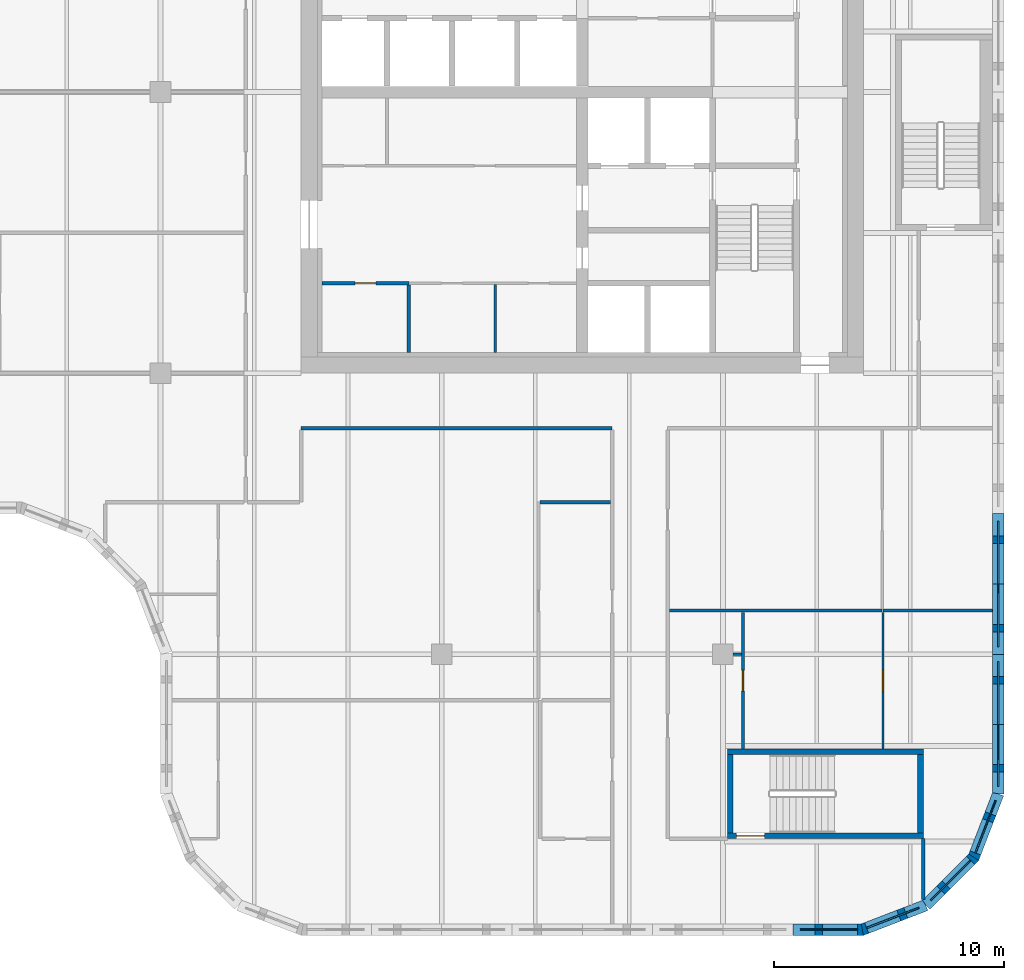
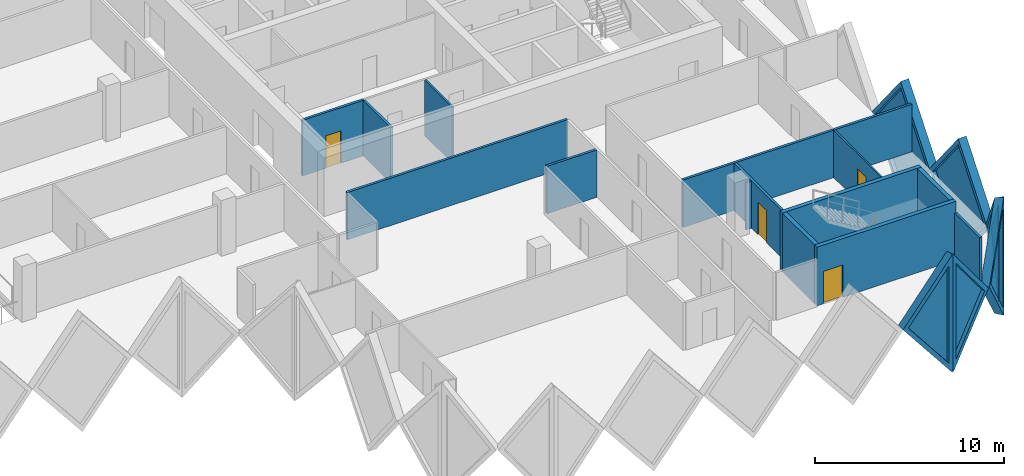
# One storey, part 5 of 12: 21 walls, 6 plates, 4 doors, 10 openings.
"""IFC4 building model written with IfcOpenShell, lengths in metres."""

from ifc_helpers import new_model, si_unit, direction, frame, frame_2d, origin, place, context, subcontext, project, spatial, polyline, rectangle, outline, extrude, faceted_brep, source, transform, mapped, material, layer, layer_set, type_object, element, fill, save


model = new_model("IFC4")

# Units and contexts
model_context = context("Model", 3, precision=1e-05, world=origin(), true_north=direction((0.0, 1.0)))
body_context = subcontext(model_context, "Body", "Model", "MODEL_VIEW")
ifc_project = project(units=[si_unit("LENGTHUNIT", "METRE"), si_unit("AREAUNIT", "SQUARE_METRE"), si_unit("VOLUMEUNIT", "CUBIC_METRE"), si_unit("PLANEANGLEUNIT", "RADIAN"), si_unit("MASSUNIT", "GRAM", prefix="KILO")], contexts=[model_context])

# Site, building, storey
site_placement = place(None, origin())
site = spatial("IfcSite", under=ifc_project, at=site_placement, CompositionType="ELEMENT")
building_placement = place(site_placement, origin())
building = spatial("IfcBuilding", under=site, at=building_placement, Name="Tessera Gate Towers", CompositionType="ELEMENT")
storey_placement = place(building_placement, frame((0.0, 0.0, 143.0)))
storey = spatial("IfcBuildingStorey", under=building, at=storey_placement, Name="L35", CompositionType="ELEMENT", Elevation=143.0)

# Wall, opening, door
ifc_material_1 = material(Name="Concrete C40/50", Category="concrete")
ifc_layer_1 = layer(ifc_material_1, 0.25)
ifc_layer_set_1 = layer_set([ifc_layer_1], Name="CORE ENCLOSURE WALL 250")
wall_type_1 = type_object("IfcWallType", Name="CORE ENCLOSURE WALL 250", PredefinedType="SOLIDWALL", material=ifc_layer_set_1)
wall_1_placement = place(storey_placement, frame((57.5, 4.324951171875, 0.0), z_axis=(0.0, 0.0, 1.0), x_axis=(-1.0, 0.0, 0.0)))
wall_1 = element("IfcWall", 1, at=wall_1_placement, inside=storey, type_object=wall_type_1, Name="L35 ST4 enclosure wall", PredefinedType="SOLIDWALL", context=body_context, shape_type="SweptSolid", body=[
    extrude(rectangle(XDim=8.5, YDim=0.25, at=frame_2d((4.25, 0.0))), origin(), (0.0, 0.0, 1.0), 3.800048828125),
])
shared_shape_1 = source(origin(), body_context, "Body", "SweptSolid", [
    extrude(rectangle(XDim=1.199951171875, YDim=2.10009765625, at=frame_2d((0.60009765625, 1.050048828125))), frame((0.0, 0.135009765625, 0.0), z_axis=(0.0, -1.0, 0.0), x_axis=(1.0, 0.0, 0.0)), (0.0, 0.0, 1.0), 0.27001953125),
])
opening_1_placement = place(wall_1_placement, frame((6.89990234375, 0.0, 0.0)))
opening_1 = element("IfcOpeningElement", 2, at=opening_1_placement, cuts=wall_1, Name="Opening SD-ST4-1", PredefinedType="OPENING", context=body_context, shape_type="MappedRepresentation", body=[
    mapped(shared_shape_1, transform((0.0, 0.0, 0.0), scale=1.0)),
])
ifc_material_2 = material(Name="Hollow steel fire door", Category="steel")
door_type_1 = type_object("IfcDoorType", Name="CORE DOOR SD 1200x2100", OperationType="NOTDEFINED", PredefinedType="DOOR", material=ifc_material_2)
shared_shape_2 = source(origin(), body_context, "Body", "SweptSolid", [
    extrude(rectangle(XDim=1.199951171875, YDim=2.10009765625, at=frame_2d((0.60009765625, 1.050048828125))), frame((0.0, 0.02490234375, 0.0), z_axis=(0.0, -1.0, 0.0), x_axis=(1.0, 0.0, 0.0)), (0.0, 0.0, 1.0), 0.050048828125),
])
door_1_placement = place(opening_1_placement, origin())
door_1 = element("IfcDoor", 3, at=door_1_placement, inside=storey, type_object=door_type_1, Name="Stair door", OperationType="SINGLE_SWING_RIGHT", OverallHeight=2.10009765625, OverallWidth=1.199951171875, PredefinedType="DOOR", context=body_context, shape_type="MappedRepresentation", body=[
    mapped(shared_shape_2, transform((0.0, 0.0, 0.0), scale=1.0)),
])
fill(opening_1, door_1)

# Walls
wall_2_placement = place(storey_placement, frame((49.125, 4.449951171875, 0.0), z_axis=(0.0, 0.0, 1.0), x_axis=(0.0, 1.0, 0.0)))
element("IfcWall", 4, at=wall_2_placement, inside=storey, type_object=wall_type_1, Name="L35 ST4 enclosure wall", PredefinedType="SOLIDWALL", context=body_context, shape_type="SweptSolid", body=[
    extrude(rectangle(XDim=3.400146484375, YDim=0.25, at=frame_2d((1.7001953125, 0.0))), origin(), (0.0, 0.0, 1.0), 3.800048828125),
])
wall_3_placement = place(storey_placement, frame((49.0, 7.97509765625, 0.0), z_axis=(0.0, 0.0, 1.0), x_axis=(1.0, 0.0, 0.0)))
element("IfcWall", 5, at=wall_3_placement, inside=storey, type_object=wall_type_1, Name="L35 ST4 enclosure wall", PredefinedType="SOLIDWALL", context=body_context, shape_type="SweptSolid", body=[
    extrude(rectangle(XDim=8.5, YDim=0.25, at=frame_2d((4.25, 0.0))), origin(), (0.0, 0.0, 1.0), 3.800048828125),
])
wall_4_placement = place(storey_placement, frame((57.375, 7.85009765625, 0.0), z_axis=(0.0, 0.0, 1.0), x_axis=(0.0, -1.0, 0.0)))
element("IfcWall", 6, at=wall_4_placement, inside=storey, type_object=wall_type_1, Name="L35 ST4 enclosure wall", PredefinedType="SOLIDWALL", context=body_context, shape_type="SweptSolid", body=[
    extrude(rectangle(XDim=3.400146484375, YDim=0.25, at=frame_2d((1.7001953125, 0.0))), origin(), (0.0, 0.0, 1.0), 3.800048828125),
])
ifc_material_3 = material(Name="Gypsum board on steel studs", Category="steel")
ifc_layer_2 = layer(ifc_material_3, 0.1201171875)
ifc_layer_set_2 = layer_set([ifc_layer_2], Name="CORE PARTITION 120")
wall_type_2 = type_object("IfcWallType", Name="CORE PARTITION 120", PredefinedType="PARTITIONING", material=ifc_layer_set_2)
wall_5_placement = place(storey_placement, frame((38.925048828125, 25.300048828125, 0.0), z_axis=(0.0, 0.0, 1.0), x_axis=(0.0, 1.0, 0.0)))
element("IfcWall", 7, at=wall_5_placement, inside=storey, type_object=wall_type_2, Name="L35 core partition", PredefinedType="PARTITIONING", context=body_context, shape_type="SweptSolid", body=[
    extrude(rectangle(XDim=2.93994140625, YDim=0.1201171875, at=frame_2d((1.469970703125, 0.0))), origin(), (0.0, 0.0, 1.0), 3.60009765625),
])
ifc_material_4 = material(Name="Gypsum board on steel studs, mineral wool", Category="steel")
ifc_layer_3 = layer(ifc_material_4, 0.14990234375)
ifc_layer_set_3 = layer_set([ifc_layer_3], Name="CORRIDOR WALL 150")
wall_type_3 = type_object("IfcWallType", Name="CORRIDOR WALL 150", PredefinedType="PARTITIONING", material=ifc_layer_set_3)
wall_6_placement = place(storey_placement, frame((57.5, 1.55908203125, 0.0), z_axis=(0.0, 0.0, 1.0), x_axis=(0.0, 1.0, 0.0)))
element("IfcWall", 8, at=wall_6_placement, inside=storey, type_object=wall_type_3, Name="T1-L35-PW-002", PredefinedType="PARTITIONING", context=body_context, shape_type="SweptSolid", body=[
    extrude(rectangle(XDim=2.640869140625, YDim=0.14990234375, at=frame_2d((1.3203125, 0.0))), origin(), (0.0, 0.0, 1.0), 3.06689453125),
])
wall_7_placement = place(storey_placement, frame((30.5, 22.0, 0.0), z_axis=(0.0, 0.0, 1.0), x_axis=(1.0, 0.0, 0.0)))
element("IfcWall", 9, at=wall_7_placement, inside=storey, type_object=wall_type_3, Name="T1-L35-PW-027", PredefinedType="PARTITIONING", context=body_context, shape_type="SweptSolid", body=[
    extrude(rectangle(XDim=13.5, YDim=0.14990234375, at=frame_2d((6.75, 0.0))), origin(), (0.0, 0.0, 1.0), 3.06689453125),
])

# Wall, opening, door
ifc_material_5 = material(Name="Gypsum board on steel studs", Category="steel")
ifc_layer_4 = layer(ifc_material_5, 0.10009765625)
ifc_layer_set_4 = layer_set([ifc_layer_4], Name="PARTITION 100")
wall_type_4 = type_object("IfcWallType", Name="PARTITION 100", PredefinedType="PARTITIONING", material=ifc_layer_set_4)
wall_8_placement = place(storey_placement, frame((55.7470703125, 14.02392578125, 0.0), z_axis=(0.0, 0.0, 1.0), x_axis=(0.0, -1.0, 0.0)))
wall_8 = element("IfcWall", 10, at=wall_8_placement, inside=storey, type_object=wall_type_4, Name="T1-L35-PW-010", PredefinedType="PARTITIONING", context=body_context, shape_type="SweptSolid", body=[
    extrude(rectangle(XDim=5.923828125, YDim=0.10009765625, at=frame_2d((2.9619140625, 0.0))), origin(), (0.0, 0.0, 1.0), 3.06689453125),
])
shared_shape_3 = source(origin(), body_context, "Body", "SweptSolid", [
    extrude(rectangle(XDim=0.89990234375, YDim=2.10009765625, at=frame_2d((0.449951171875, 1.050048828125))), frame((0.0, 0.06005859375, 0.0), z_axis=(0.0, -1.0, 0.0), x_axis=(1.0, 0.0, 0.0)), (0.0, 0.0, 1.0), 0.1201171875),
])
opening_2_placement = place(wall_8_placement, frame((2.52392578125, 0.0, 0.0)))
opening_2 = element("IfcOpeningElement", 11, at=opening_2_placement, cuts=wall_8, Name="Opening D190-A13-07", PredefinedType="OPENING", context=body_context, shape_type="MappedRepresentation", body=[
    mapped(shared_shape_3, transform((0.0, 0.0, 0.0), scale=1.0)),
])
ifc_material_6 = material(Name="Timber door leaf in steel frame", Category="steel")
door_type_2 = type_object("IfcDoorType", Name="INTERNAL DOOR 900 NOT RATED", OperationType="NOTDEFINED", PredefinedType="DOOR", material=ifc_material_6)
shared_shape_4 = source(origin(), body_context, "Body", "SweptSolid", [
    extrude(rectangle(XDim=0.89990234375, YDim=2.10009765625, at=frame_2d((0.449951171875, 1.050048828125))), frame((0.0, 0.02490234375, 0.0), z_axis=(0.0, -1.0, 0.0), x_axis=(1.0, 0.0, 0.0)), (0.0, 0.0, 1.0), 0.050048828125),
])
door_2_placement = place(opening_2_placement, origin())
door_2 = element("IfcDoor", 12, at=door_2_placement, inside=storey, type_object=door_type_2, Name="T1-L35-PD-012", OperationType="SINGLE_SWING_RIGHT", OverallHeight=2.10009765625, OverallWidth=0.89990234375, PredefinedType="DOOR", context=body_context, shape_type="MappedRepresentation", body=[
    mapped(shared_shape_4, transform((0.0, 0.0, 0.0), scale=1.0)),
])
fill(opening_2, door_2)

# Wall
wall_9_placement = place(storey_placement, frame((49.25, 12.199951171875, 0.0), z_axis=(0.0, 0.0, 1.0), x_axis=(1.0, 0.0, 0.0)))
element("IfcWall", 13, at=wall_9_placement, inside=storey, type_object=wall_type_4, Name="T1-L35-PW-015", PredefinedType="PARTITIONING", context=body_context, shape_type="SweptSolid", body=[
    extrude(rectangle(XDim=0.35009765625, YDim=0.10009765625, at=frame_2d((0.175048828125, 0.0))), origin(), (0.0, 0.0, 1.0), 3.06689453125),
])

# Wall, opening, door
ifc_material_7 = material(Name="Gypsum board on steel studs", Category="steel")
ifc_layer_5 = layer(ifc_material_7, 0.14990234375)
ifc_layer_set_5 = layer_set([ifc_layer_5], Name="SERVICE ROOM WALL 150")
wall_type_5 = type_object("IfcWallType", Name="SERVICE ROOM WALL 150", PredefinedType="PARTITIONING", material=ifc_layer_set_5)
wall_10_placement = place(storey_placement, frame((35.175048828125, 28.300048828125, 0.0), z_axis=(0.0, 0.0, 1.0), x_axis=(-1.0, 0.0, 0.0)))
wall_10 = element("IfcWall", 14, at=wall_10_placement, inside=storey, type_object=wall_type_5, Name="L35 service room wall", PredefinedType="PARTITIONING", context=body_context, shape_type="SweptSolid", body=[
    extrude(rectangle(XDim=3.775146484375, YDim=0.14990234375, at=frame_2d((1.8876953125, 0.0))), origin(), (0.0, 0.0, 1.0), 3.60009765625),
])
shared_shape_5 = source(origin(), body_context, "Body", "SweptSolid", [
    extrude(rectangle(XDim=0.89990234375, YDim=2.10009765625, at=frame_2d((0.449951171875, 1.050048828125))), frame((0.0, 0.0849609375, 0.0), z_axis=(0.0, -1.0, 0.0), x_axis=(1.0, 0.0, 0.0)), (0.0, 0.0, 1.0), 0.169921875),
])
opening_3_placement = place(wall_10_placement, frame((1.4375, 0.0, 0.0)))
opening_3 = element("IfcOpeningElement", 15, at=opening_3_placement, cuts=wall_10, Name="Opening RD-T1-23-13", PredefinedType="OPENING", context=body_context, shape_type="MappedRepresentation", body=[
    mapped(shared_shape_5, transform((0.0, 0.0, 0.0), scale=1.0)),
])
ifc_material_8 = material(Name="Hollow steel fire door", Category="steel")
door_type_3 = type_object("IfcDoorType", Name="CORE DOOR RD 900x2100", OperationType="NOTDEFINED", PredefinedType="DOOR", material=ifc_material_8)
door_3_placement = place(opening_3_placement, origin())
door_3 = element("IfcDoor", 16, at=door_3_placement, inside=storey, type_object=door_type_3, Name="Core room door", OperationType="SINGLE_SWING_LEFT", OverallHeight=2.10009765625, OverallWidth=0.89990234375, PredefinedType="DOOR", context=body_context, shape_type="MappedRepresentation", body=[
    mapped(shared_shape_4, transform((0.0, 0.0, 0.0), scale=1.0)),
])
fill(opening_3, door_3)

# Wall
wall_11_placement = place(storey_placement, frame((35.175048828125, 25.300048828125, 0.0), z_axis=(0.0, 0.0, 1.0), x_axis=(0.0, 1.0, 0.0)))
element("IfcWall", 17, at=wall_11_placement, inside=storey, type_object=wall_type_5, Name="L35 service room wall", PredefinedType="PARTITIONING", context=body_context, shape_type="SweptSolid", body=[
    extrude(rectangle(XDim=2.925048828125, YDim=0.14990234375, at=frame_2d((1.46240234375, 0.0))), origin(), (0.0, 0.0, 1.0), 3.60009765625),
])

# Wall, opening, door
ifc_material_9 = material(Name="Gypsum board on steel studs, mineral wool", Category="steel")
ifc_layer_6 = layer(ifc_material_9, 0.14990234375)
ifc_layer_set_6 = layer_set([ifc_layer_6], Name="TENANCY WALL 150")
wall_type_6 = type_object("IfcWallType", Name="TENANCY WALL 150", PredefinedType="PARTITIONING", material=ifc_layer_set_6)
wall_12_placement = place(storey_placement, frame((49.675048828125, 14.02392578125, 0.0), z_axis=(0.0, 0.0, 1.0), x_axis=(0.0, -1.0, 0.0)))
wall_12 = element("IfcWall", 18, at=wall_12_placement, inside=storey, type_object=wall_type_6, Name="T1-L35-PW-009", PredefinedType="PARTITIONING", context=body_context, shape_type="SweptSolid", body=[
    extrude(rectangle(XDim=5.923828125, YDim=0.14990234375, at=frame_2d((2.9619140625, 0.0))), origin(), (0.0, 0.0, 1.0), 3.06689453125),
])
opening_4_placement = place(wall_12_placement, frame((2.52392578125, 0.0, 0.0)))
opening_4 = element("IfcOpeningElement", 19, at=opening_4_placement, cuts=wall_12, Name="Opening D190-A13-06", PredefinedType="OPENING", context=body_context, shape_type="MappedRepresentation", body=[
    mapped(shared_shape_5, transform((0.0, 0.0, 0.0), scale=1.0)),
])
door_4_placement = place(opening_4_placement, origin())
door_4 = element("IfcDoor", 20, at=door_4_placement, inside=storey, type_object=door_type_2, Name="T1-L35-PD-011", OperationType="SINGLE_SWING_RIGHT", OverallHeight=2.10009765625, OverallWidth=0.89990234375, PredefinedType="DOOR", context=body_context, shape_type="MappedRepresentation", body=[
    mapped(shared_shape_4, transform((0.0, 0.0, 0.0), scale=1.0)),
])
fill(opening_4, door_4)

# Walls
wall_13_placement = place(storey_placement, frame((46.47607421875, 14.10009765625, 0.0), z_axis=(0.0, 0.0, 1.0), x_axis=(1.0, 0.0, 0.0)))
element("IfcWall", 21, at=wall_13_placement, inside=storey, type_object=wall_type_6, Name="T1-L35-PW-016", PredefinedType="PARTITIONING", context=body_context, shape_type="SweptSolid", body=[
    extrude(rectangle(XDim=9.239013671875, YDim=0.14990234375, at=frame_2d((4.61962890625, 0.0))), origin(), (0.0, 0.0, 1.0), 3.06689453125),
])
wall_14_placement = place(storey_placement, frame((55.7470703125, 14.10009765625, 0.0), z_axis=(0.0, 0.0, 1.0), x_axis=(1.0, 0.0, 0.0)))
element("IfcWall", 22, at=wall_14_placement, inside=storey, type_object=wall_type_6, Name="T1-L35-PW-017", PredefinedType="PARTITIONING", context=body_context, shape_type="SweptSolid", body=[
    extrude(rectangle(XDim=4.7529296875, YDim=0.14990234375, at=frame_2d((2.37646484375, 0.0))), origin(), (0.0, 0.0, 1.0), 3.06689453125),
])
wall_15_placement = place(storey_placement, frame((40.8759765625, 18.800048828125, 0.0), z_axis=(0.0, 0.0, 1.0), x_axis=(1.0, 0.0, 0.0)))
element("IfcWall", 23, at=wall_15_placement, inside=storey, type_object=wall_type_6, Name="T1-L35-PW-025", PredefinedType="PARTITIONING", context=body_context, shape_type="SweptSolid", body=[
    extrude(rectangle(XDim=3.048095703125, YDim=0.14990234375, at=frame_2d((1.52392578125, 0.0))), origin(), (0.0, 0.0, 1.0), 3.06689453125),
])

# Wall, opening, plate
ifc_material_10 = material(Name="Precast concrete C60/75 white", Category="concrete")
ifc_layer_7 = layer(ifc_material_10, 0.5)
ifc_layer_set_7 = layer_set([ifc_layer_7], Name="TS1 tessera")
wall_type_7 = type_object("IfcWallType", Name="TS1 tessera", PredefinedType="SOLIDWALL", material=ifc_layer_set_7)
shared_shape_6 = source(origin(), body_context, "Body", "Brep", [
    faceted_brep([(3.00341796875, -0.25, 0.0), (6.053466796875, -0.25, 3.800048828125), (3.00341796875, -0.25, 7.60009765625), (0.0, -0.25, 3.800048828125), (0.046630859375, 0.25, 3.85888671875), (3.00341796875, 0.25, 7.60009765625), (6.053466796875, 0.25, 3.800048828125), (3.00341796875, 0.25, 0.0), (0.046630859375, 0.25, 3.7412109375), (0.0, 0.0, 3.800048828125)], [[[0, 1, 2, 3]], [[4, 5, 6, 7, 8]], [[7, 6, 1, 0]], [[6, 5, 2, 1]], [[5, 4, 9, 3, 2]], [[8, 7, 0, 3, 9]], [[8, 9, 4]]]),
])
wall_16_placement = place(storey_placement, frame((60.75, 6.146484375, -3.800048828125), z_axis=(0.0, 0.0, 1.0), x_axis=(0.0, 1.0, 0.0)))
wall_16 = element("IfcWall", 24, at=wall_16_placement, inside=storey, type_object=wall_type_7, Name="Precast tessera T1 TS1-0601", PredefinedType="SOLIDWALL", context=body_context, shape_type="MappedRepresentation", body=[
    mapped(shared_shape_6, transform((0.0, 0.0, 0.0), scale=1.0)),
])
shared_shape_7 = source(origin(), body_context, "Body", "SweptSolid", [
    extrude(outline(polyline([(3.0048828125, 0.4013671875), (5.73291015625, 3.800048828125), (3.0048828125, 7.19873046875), (0.318603515625, 3.800048828125), (3.0048828125, 0.4013671875)])), frame((0.0, 0.260009765625, 0.0), z_axis=(0.0, -1.0, 0.0), x_axis=(1.0, 0.0, 0.0)), (0.0, 0.0, 1.0), 0.52001953125),
])
opening_5_placement = place(wall_16_placement, origin())
opening_5 = element("IfcOpeningElement", 25, at=opening_5_placement, cuts=wall_16, Name="Opening T1-PL2-1231", PredefinedType="OPENING", context=body_context, shape_type="MappedRepresentation", body=[
    mapped(shared_shape_7, transform((0.0, 0.0, 0.0), scale=1.0)),
])
ifc_material_11 = material(Name="Low-e laminated glass", Category="glass")
ifc_layer_8 = layer(ifc_material_11, 0.06005859375)
ifc_layer_set_8 = layer_set([ifc_layer_8], Name="PL2 rhombic pane")
plate_type = type_object("IfcPlateType", Name="PL2 rhombic pane", PredefinedType="SHEET", material=ifc_layer_set_8)
shared_shape_8 = source(origin(), body_context, "Body", "SweptSolid", [
    extrude(outline(polyline([(3.0048828125, 0.4013671875), (5.73291015625, 3.800048828125), (3.0048828125, 7.19873046875), (0.318603515625, 3.800048828125), (3.0048828125, 0.4013671875)])), frame((0.0, 0.030029296875, 0.0), z_axis=(0.0, -1.0, 0.0), x_axis=(1.0, 0.0, 0.0)), (0.0, 0.0, 1.0), 0.06005859375),
])
plate_1_placement = place(opening_5_placement, origin())
plate_1 = element("IfcPlate", 26, at=plate_1_placement, inside=storey, type_object=plate_type, Name="Glass pane T1 PL2-1231", PredefinedType="SHEET", context=body_context, shape_type="MappedRepresentation", body=[
    mapped(shared_shape_8, transform((0.0, 0.0, 0.0), scale=1.0)),
])
fill(opening_5, plate_1)

shared_shape_9 = source(origin(), body_context, "Body", "SweptSolid", [
    extrude(outline(polyline([(3.050048828125, 0.0), (6.10009765625, 3.800048828125), (3.050048828125, 7.60009765625), (0.0, 3.800048828125), (3.050048828125, 0.0)])), frame((0.0, 0.25, 0.0), z_axis=(0.0, -1.0, 0.0), x_axis=(1.0, 0.0, 0.0)), (0.0, 0.0, 1.0), 0.5),
])
wall_17_placement = place(storey_placement, frame((60.75, 12.199951171875, -3.800048828125), z_axis=(0.0, 0.0, 1.0), x_axis=(0.0, 1.0, 0.0)))
wall_17 = element("IfcWall", 27, at=wall_17_placement, inside=storey, type_object=wall_type_7, Name="Precast tessera T1 TS1-0602", PredefinedType="SOLIDWALL", context=body_context, shape_type="MappedRepresentation", body=[
    mapped(shared_shape_9, transform((0.0, 0.0, 0.0), scale=1.0)),
])
shared_shape_10 = source(origin(), body_context, "Body", "SweptSolid", [
    extrude(outline(polyline([(3.050048828125, 0.3994140625), (5.779541015625, 3.800048828125), (3.050048828125, 7.20068359375), (0.320556640625, 3.800048828125), (3.050048828125, 0.3994140625)])), frame((0.0, 0.260009765625, 0.0), z_axis=(0.0, -1.0, 0.0), x_axis=(1.0, 0.0, 0.0)), (0.0, 0.0, 1.0), 0.52001953125),
])
opening_6_placement = place(wall_17_placement, origin())
opening_6 = element("IfcOpeningElement", 28, at=opening_6_placement, cuts=wall_17, Name="Opening T1-PL2-1232", PredefinedType="OPENING", context=body_context, shape_type="MappedRepresentation", body=[
    mapped(shared_shape_10, transform((0.0, 0.0, 0.0), scale=1.0)),
])
shared_shape_11 = source(origin(), body_context, "Body", "SweptSolid", [
    extrude(outline(polyline([(3.050048828125, 0.3994140625), (5.779541015625, 3.800048828125), (3.050048828125, 7.20068359375), (0.320556640625, 3.800048828125), (3.050048828125, 0.3994140625)])), frame((0.0, 0.030029296875, 0.0), z_axis=(0.0, -1.0, 0.0), x_axis=(1.0, 0.0, 0.0)), (0.0, 0.0, 1.0), 0.06005859375),
])
plate_2_placement = place(opening_6_placement, origin())
plate_2 = element("IfcPlate", 29, at=plate_2_placement, inside=storey, type_object=plate_type, Name="Glass pane T1 PL2-1232", PredefinedType="SHEET", context=body_context, shape_type="MappedRepresentation", body=[
    mapped(shared_shape_11, transform((0.0, 0.0, 0.0), scale=1.0)),
])
fill(opening_6, plate_2)

ifc_material_12 = material(Name="Precast concrete C60/75 white", Category="concrete")
ifc_layer_9 = layer(ifc_material_12, 0.5)
ifc_layer_set_9 = layer_set([ifc_layer_9], Name="TS3 corner tessera")
wall_type_8 = type_object("IfcWallType", Name="TS3 corner tessera", PredefinedType="SOLIDWALL", material=ifc_layer_set_9)
shared_shape_12 = source(origin(), body_context, "Body", "Brep", [
    faceted_brep([(3.00341796875, -0.25, 0.0), (3.050048828125, -0.25, 0.06005859375), (3.050048828125, -0.25, 7.5400390625), (3.00341796875, -0.25, 7.60009765625), (0.0, -0.25, 3.800048828125), (0.0, 0.25, 3.800048828125), (2.956787109375, 0.25, 7.541259765625), (2.956787109375, 0.25, 0.058837890625), (3.00341796875, 0.000244140625, 0.0), (3.00341796875, 0.000244140625, 7.60009765625)], [[[0, 1, 2, 3, 4]], [[5, 6, 7]], [[1, 0, 8]], [[9, 3, 2]], [[6, 5, 4, 3, 9]], [[5, 7, 8, 0, 4]], [[1, 8, 7, 6, 9, 2]]]),
])
wall_18_placement = place(storey_placement, frame((51.85009765625, 0.25, -3.800048828125), z_axis=(0.0, 0.0, 1.0), x_axis=(1.0, 0.0, 0.0)))
wall_18 = element("IfcWall", 30, at=wall_18_placement, inside=storey, type_object=wall_type_8, Name="Precast corner tessera T1 TS3-0795", PredefinedType="SOLIDWALL", context=body_context, shape_type="MappedRepresentation", body=[
    mapped(shared_shape_12, transform((0.0, 0.0, 0.0), scale=1.0)),
])
shared_shape_13 = source(origin(), body_context, "Body", "SweptSolid", [
    extrude(outline(polyline([(2.803466796875, 6.94384765625), (0.318603515625, 3.800048828125), (2.803466796875, 0.65625), (2.803466796875, 6.94384765625)])), frame((0.0, 0.260009765625, 0.0), z_axis=(0.0, -1.0, 0.0), x_axis=(1.0, 0.0, 0.0)), (0.0, 0.0, 1.0), 0.52001953125),
])
opening_7_placement = place(wall_18_placement, origin())
opening_7 = element("IfcOpeningElement", 31, at=opening_7_placement, cuts=wall_18, Name="Opening T1-PL2-1227", PredefinedType="OPENING", context=body_context, shape_type="MappedRepresentation", body=[
    mapped(shared_shape_13, transform((0.0, 0.0, 0.0), scale=1.0)),
])
shared_shape_14 = source(origin(), body_context, "Body", "SweptSolid", [
    extrude(outline(polyline([(2.803466796875, 6.94384765625), (0.318603515625, 3.800048828125), (2.803466796875, 0.65625), (2.803466796875, 6.94384765625)])), frame((0.0, 0.030029296875, 0.0), z_axis=(0.0, -1.0, 0.0), x_axis=(1.0, 0.0, 0.0)), (0.0, 0.0, 1.0), 0.06005859375),
])
plate_3_placement = place(opening_7_placement, origin())
plate_3 = element("IfcPlate", 32, at=plate_3_placement, inside=storey, type_object=plate_type, Name="Glass pane T1 PL2-1227", PredefinedType="SHEET", context=body_context, shape_type="MappedRepresentation", body=[
    mapped(shared_shape_14, transform((0.0, 0.0, 0.0), scale=1.0)),
])
fill(opening_7, plate_3)

shared_shape_15 = source(origin(), body_context, "Body", "Brep", [
    faceted_brep([(0.046630859375, -0.25, 0.0), (2.9970703125, -0.25, 3.800048828125), (0.046630859375, -0.25, 7.60009765625), (0.0, -0.25, 7.541259765625), (0.0, -0.25, 0.058837890625), (0.09326171875, 0.25, 7.5400390625), (2.9443359375, 0.25, 3.8681640625), (2.9443359375, 0.25, 3.73193359375), (0.09326171875, 0.25, 0.06005859375), (2.9970703125, 0.00048828125, 3.800048828125), (0.046630859375, 0.0, 0.0), (0.046630859375, 0.0, 7.60009765625)], [[[0, 1, 2, 3, 4]], [[5, 6, 7, 8]], [[8, 7, 9, 1, 0, 10]], [[6, 5, 11, 2, 1, 9]], [[3, 2, 11]], [[10, 0, 4]], [[8, 10, 4, 3, 11, 5]], [[9, 7, 6]]]),
])
wall_19_placement = place(storey_placement, frame((54.81005859375, 0.233154296875, -3.800048828125), z_axis=(0.0, 0.0, 1.0), x_axis=(0.932990326376, 0.359901446078, 0.0)))
wall_19 = element("IfcWall", 33, at=wall_19_placement, inside=storey, type_object=wall_type_8, Name="Precast corner tessera T1 TS3-0796", PredefinedType="SOLIDWALL", context=body_context, shape_type="MappedRepresentation", body=[
    mapped(shared_shape_15, transform((0.0, 0.0, 0.0), scale=1.0)),
])
shared_shape_16 = source(origin(), body_context, "Body", "SweptSolid", [
    extrude(outline(polyline([(0.24658203125, 0.665283203125), (2.6806640625, 3.800048828125), (0.24658203125, 6.934814453125), (0.24658203125, 0.665283203125)])), frame((0.0, 0.260009765625, 0.0), z_axis=(0.0, -1.0, 0.0), x_axis=(1.0, 0.0, 0.0)), (0.0, 0.0, 1.0), 0.52001953125),
])
opening_8_placement = place(wall_19_placement, origin())
opening_8 = element("IfcOpeningElement", 34, at=opening_8_placement, cuts=wall_19, Name="Opening T1-PL2-1228", PredefinedType="OPENING", context=body_context, shape_type="MappedRepresentation", body=[
    mapped(shared_shape_16, transform((0.0, 0.0, 0.0), scale=1.0)),
])
shared_shape_17 = source(origin(), body_context, "Body", "SweptSolid", [
    extrude(outline(polyline([(0.24658203125, 0.665283203125), (2.6806640625, 3.800048828125), (0.24658203125, 6.934814453125), (0.24658203125, 0.665283203125)])), frame((0.0, 0.030029296875, 0.0), z_axis=(0.0, -1.0, 0.0), x_axis=(1.0, 0.0, 0.0)), (0.0, 0.0, 1.0), 0.06005859375),
])
plate_4_placement = place(opening_8_placement, origin())
plate_4 = element("IfcPlate", 35, at=plate_4_placement, inside=storey, type_object=plate_type, Name="Glass pane T1 PL2-1228", PredefinedType="SHEET", context=body_context, shape_type="MappedRepresentation", body=[
    mapped(shared_shape_17, transform((0.0, 0.0, 0.0), scale=1.0)),
])
fill(opening_8, plate_4)

shared_shape_18 = source(origin(), body_context, "Body", "Brep", [
    faceted_brep([(2.944091796875, -0.25, 0.0), (2.9970703125, -0.25, 0.068115234375), (2.9970703125, -0.25, 7.531982421875), (2.944091796875, -0.25, 7.60009765625), (0.0, -0.25, 3.800048828125), (0.052978515625, 0.25, 3.868408203125), (2.89111328125, 0.25, 7.531982421875), (2.89111328125, 0.25, 0.068115234375), (0.052978515625, 0.25, 3.731689453125), (2.944091796875, 0.000244140625, 0.0), (2.944091796875, 0.000244140625, 7.60009765625), (0.0, 0.0, 3.800048828125)], [[[0, 1, 2, 3, 4]], [[5, 6, 7, 8]], [[1, 0, 9]], [[10, 3, 2]], [[6, 5, 11, 4, 3, 10]], [[8, 7, 9, 0, 4, 11]], [[8, 11, 5]], [[1, 9, 7, 6, 10, 2]]]),
])
wall_20_placement = place(storey_placement, frame((57.606201171875, 1.31201171875, -3.800048828125), z_axis=(0.0, 0.0, 1.0), x_axis=(0.707147509625, 0.707066050402, 0.0)))
wall_20 = element("IfcWall", 36, at=wall_20_placement, inside=storey, type_object=wall_type_8, Name="Precast corner tessera T1 TS3-0797", PredefinedType="SOLIDWALL", context=body_context, shape_type="MappedRepresentation", body=[
    mapped(shared_shape_18, transform((0.0, 0.0, 0.0), scale=1.0)),
])
shared_shape_19 = source(origin(), body_context, "Body", "SweptSolid", [
    extrude(outline(polyline([(2.744140625, 6.933837890625), (0.316162109375, 3.800048828125), (2.744140625, 0.666259765625), (2.744140625, 6.933837890625)])), frame((0.0, 0.260009765625, 0.0), z_axis=(0.0, -1.0, 0.0), x_axis=(1.0, 0.0, 0.0)), (0.0, 0.0, 1.0), 0.52001953125),
])
opening_9_placement = place(wall_20_placement, origin())
opening_9 = element("IfcOpeningElement", 37, at=opening_9_placement, cuts=wall_20, Name="Opening T1-PL2-1229", PredefinedType="OPENING", context=body_context, shape_type="MappedRepresentation", body=[
    mapped(shared_shape_19, transform((0.0, 0.0, 0.0), scale=1.0)),
])
shared_shape_20 = source(origin(), body_context, "Body", "SweptSolid", [
    extrude(outline(polyline([(2.744140625, 6.933837890625), (0.316162109375, 3.800048828125), (2.744140625, 0.666259765625), (2.744140625, 6.933837890625)])), frame((0.0, 0.030029296875, 0.0), z_axis=(0.0, -1.0, 0.0), x_axis=(1.0, 0.0, 0.0)), (0.0, 0.0, 1.0), 0.06005859375),
])
plate_5_placement = place(opening_9_placement, origin())
plate_5 = element("IfcPlate", 38, at=plate_5_placement, inside=storey, type_object=plate_type, Name="Glass pane T1 PL2-1229", PredefinedType="SHEET", context=body_context, shape_type="MappedRepresentation", body=[
    mapped(shared_shape_20, transform((0.0, 0.0, 0.0), scale=1.0)),
])
fill(opening_9, plate_5)

shared_shape_21 = source(origin(), body_context, "Body", "Brep", [
    faceted_brep([(0.052978515625, -0.25, 0.0), (3.00341796875, -0.25, 3.800048828125), (0.052978515625, -0.25, 7.60009765625), (0.0, -0.25, 7.53173828125), (0.0, -0.25, 0.068359375), (0.10595703125, 0.25, 7.531982421875), (2.95703125, 0.25, 3.85986328125), (2.95703125, 0.25, 3.740234375), (0.10595703125, 0.25, 0.068115234375), (3.00341796875, 0.00048828125, 3.800048828125), (0.052978515625, 0.0, 0.0), (0.052978515625, 0.0, 7.60009765625)], [[[0, 1, 2, 3, 4]], [[5, 6, 7, 8]], [[8, 7, 9, 1, 0, 10]], [[6, 5, 11, 2, 1, 9]], [[3, 2, 11]], [[10, 0, 4]], [[8, 10, 4, 3, 11, 5]], [[9, 7, 6]]]),
])
wall_21_placement = place(storey_placement, frame((59.6689453125, 3.34423828125, -3.800048828125), z_axis=(0.0, 0.0, 1.0), x_axis=(0.35992665181, 0.932980602862, 0.0)))
wall_21 = element("IfcWall", 39, at=wall_21_placement, inside=storey, type_object=wall_type_8, Name="Precast corner tessera T1 TS3-0798", PredefinedType="SOLIDWALL", context=body_context, shape_type="MappedRepresentation", body=[
    mapped(shared_shape_21, transform((0.0, 0.0, 0.0), scale=1.0)),
])
shared_shape_22 = source(origin(), body_context, "Body", "SweptSolid", [
    extrude(outline(polyline([(0.2529296875, 0.665283203125), (2.68701171875, 3.800048828125), (0.2529296875, 6.934814453125), (0.2529296875, 0.665283203125)])), frame((0.0, 0.260009765625, 0.0), z_axis=(0.0, -1.0, 0.0), x_axis=(1.0, 0.0, 0.0)), (0.0, 0.0, 1.0), 0.52001953125),
])
opening_10_placement = place(wall_21_placement, origin())
opening_10 = element("IfcOpeningElement", 40, at=opening_10_placement, cuts=wall_21, Name="Opening T1-PL2-1230", PredefinedType="OPENING", context=body_context, shape_type="MappedRepresentation", body=[
    mapped(shared_shape_22, transform((0.0, 0.0, 0.0), scale=1.0)),
])
shared_shape_23 = source(origin(), body_context, "Body", "SweptSolid", [
    extrude(outline(polyline([(0.2529296875, 0.665283203125), (2.68701171875, 3.800048828125), (0.2529296875, 6.934814453125), (0.2529296875, 0.665283203125)])), frame((0.0, 0.030029296875, 0.0), z_axis=(0.0, -1.0, 0.0), x_axis=(1.0, 0.0, 0.0)), (0.0, 0.0, 1.0), 0.06005859375),
])
plate_6_placement = place(opening_10_placement, origin())
plate_6 = element("IfcPlate", 41, at=plate_6_placement, inside=storey, type_object=plate_type, Name="Glass pane T1 PL2-1230", PredefinedType="SHEET", context=body_context, shape_type="MappedRepresentation", body=[
    mapped(shared_shape_23, transform((0.0, 0.0, 0.0), scale=1.0)),
])
fill(opening_10, plate_6)

save(model, "model.ifc")
